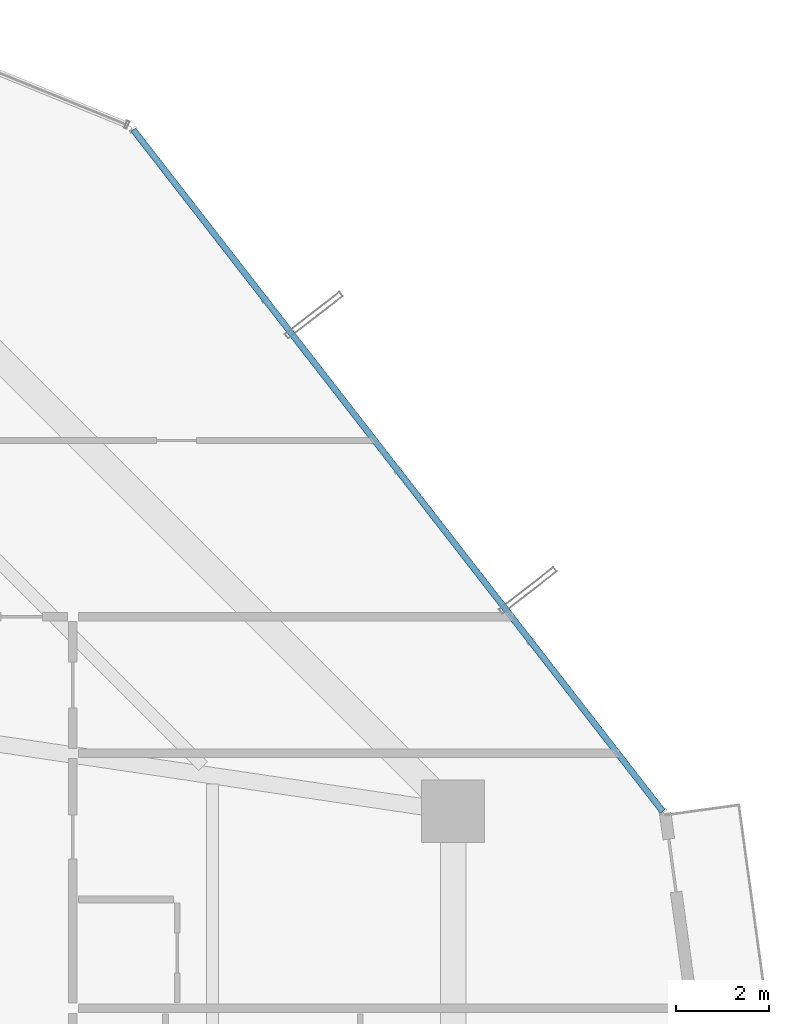
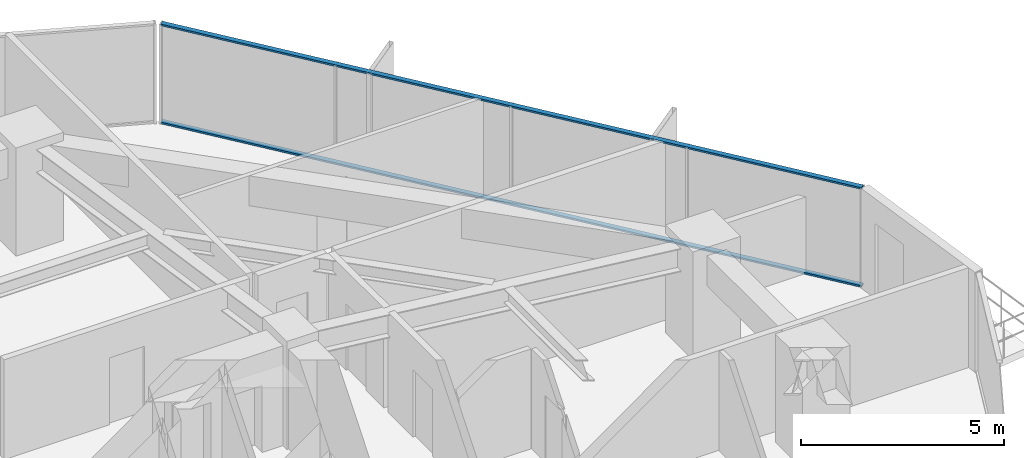
# One storey, part 30 of 37: 2 members, 1 element without a shape of its own.
"""IFC4 building model written with IfcOpenShell, lengths in metres."""

from ifc_helpers import new_model, si_unit, direction, frame, origin, origin_2d, place, context, subcontext, project, spatial, hollow_rectangle, extrude, source, transform, mapped, material, layer, layer_set, material_profile, profile_set, type_object, element, aggregate, save


model = new_model("IFC4")

# Units and contexts
model_context = context("Model", 3, precision=1e-05, world=origin(), true_north=direction((0.0, 1.0)))
body_context = subcontext(model_context, "Body", "Model", "MODEL_VIEW")
ifc_project = project(units=[si_unit("LENGTHUNIT", "METRE"), si_unit("AREAUNIT", "SQUARE_METRE"), si_unit("VOLUMEUNIT", "CUBIC_METRE"), si_unit("PLANEANGLEUNIT", "RADIAN"), si_unit("MASSUNIT", "GRAM", prefix="KILO")], contexts=[model_context])

# Site, building, storey
site_placement = place(None, origin())
site = spatial("IfcSite", under=ifc_project, at=site_placement, CompositionType="ELEMENT")
building_placement = place(site_placement, origin())
building = spatial("IfcBuilding", under=site, at=building_placement, Name="Veraguas Prism Commons", CompositionType="ELEMENT")
storey_placement = place(building_placement, frame((0.0, 0.0, 50.050048828125)))
storey = spatial("IfcBuildingStorey", under=building, at=storey_placement, Name="L13", CompositionType="ELEMENT", Elevation=50.050048828125)

# Curtain wall, members
ifc_material = material(Name="Anodised aluminium EN AW-6063 T6", Category="aluminium")
ifc_layer = layer(ifc_material, 0.169921875, Name="Unitised Flush Curtain Wall Zone 1", Category="aluminium")
ifc_layer_set = layer_set([ifc_layer], Name="Anodised aluminium EN AW-6063 T6")
curtain_wall_type = type_object("IfcCurtainWallType", Name="Unitised Flush Curtain Wall Zone 1", PredefinedType="NOTDEFINED", material=ifc_layer_set)
curtain_wall_placement = place(storey_placement, origin())
curtain_wall = element("IfcCurtainWall", 1, at=curtain_wall_placement, inside=storey, type_object=curtain_wall_type, Name="Tower Facade Curtain Wall L13-F1", PredefinedType="NOTDEFINED")
ifc_material_profile = material_profile(ifc_material, hollow_rectangle(XDim=0.054931640625, YDim=0.135009765625, WallThickness=0.0029296875, at=origin_2d()), Name="AL55X135X3")
ifc_profile_set = profile_set([ifc_material_profile], Name="Anodised aluminium EN AW-6063 T6")
member_type = type_object("IfcMemberType", Name="Curtain Wall Transom Standard AL 55x135x3", PredefinedType="USERDEFINED", material=ifc_profile_set)
shared_shape = source(origin(), body_context, "Body", "SweptSolid", [
    extrude(hollow_rectangle(XDim=0.054931640625, YDim=0.135009765625, WallThickness=0.0029296875, at=origin_2d()), origin(), (0.0, 0.0, 1.0), 18.6240234375),
])
member_1_placement = place(storey_placement, frame((46.126708984375, 29.396484375, 0.02734375), z_axis=(-0.613461316455, 0.789724770545, 0.0), x_axis=(0.0, 0.0, 1.0)))
member_1 = element("IfcMember", 2, at=member_1_placement, type_object=member_type, Name="CW-Z1 Transom 1", ObjectType="TRANSOM", PredefinedType="USERDEFINED", context=body_context, shape_type="MappedRepresentation", body=[
    mapped(shared_shape, transform((0.0, 0.0, 0.0), scale=1.0)),
])
member_2_placement = place(storey_placement, frame((46.126708984375, 29.396484375, 2.972412109375), z_axis=(-0.613461316455, 0.789724770545, 0.0), x_axis=(0.0, 0.0, 1.0)))
member_2 = element("IfcMember", 3, at=member_2_placement, type_object=member_type, Name="CW-Z1 Transom 2", ObjectType="TRANSOM", PredefinedType="USERDEFINED", context=body_context, shape_type="MappedRepresentation", body=[
    mapped(shared_shape, transform((0.0, 0.0, 0.0), scale=1.0)),
])
aggregate(curtain_wall, [member_1, member_2])

save(model, "model.ifc")
